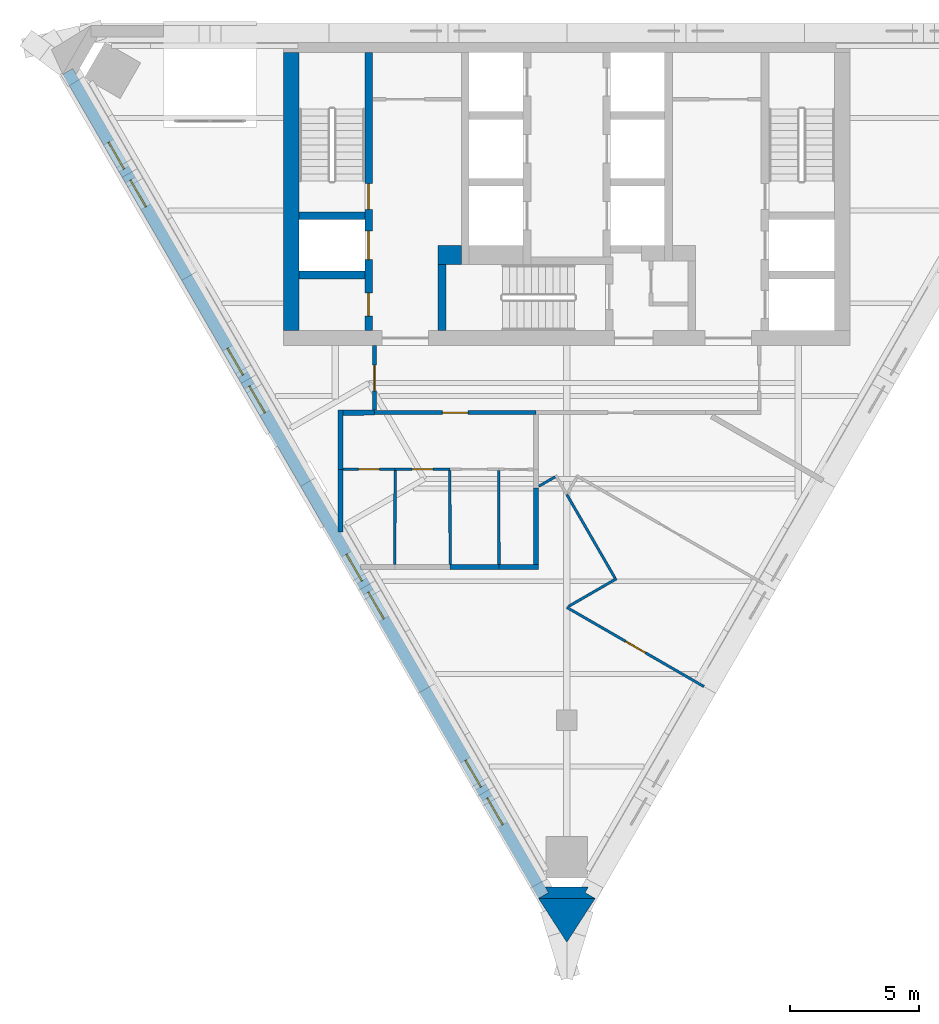
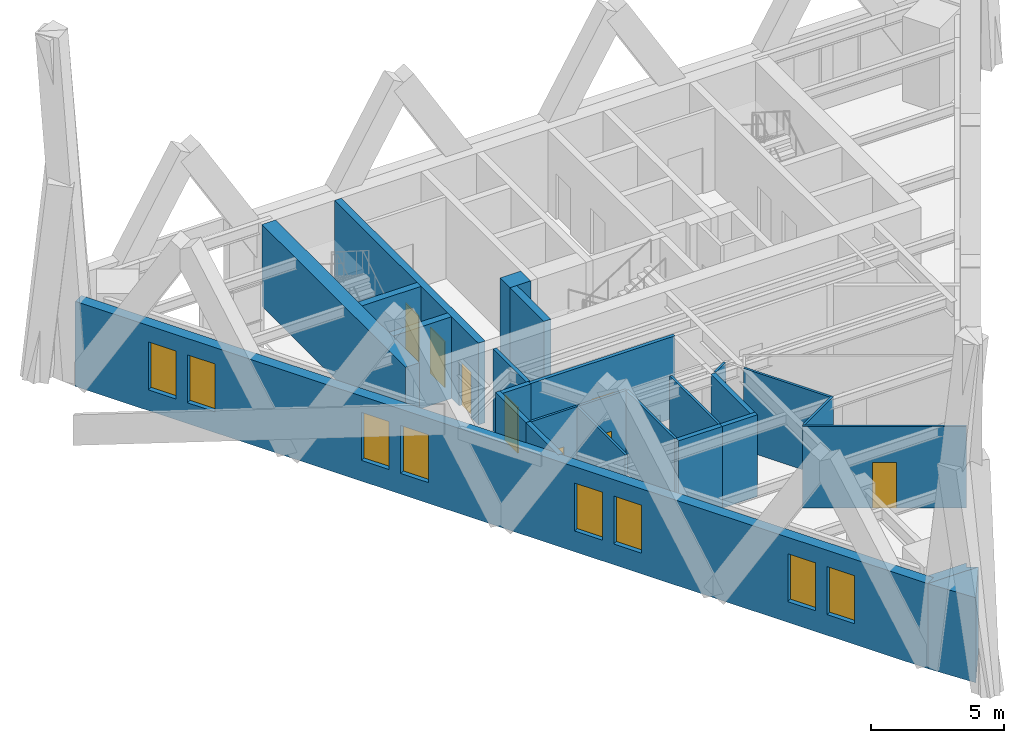
# One storey, part 4 of 9: 26 walls, 8 doors, 8 windows, 16 openings.
"""IFC4 building model written with IfcOpenShell, lengths in metres."""

from ifc_helpers import new_model, si_unit, direction, frame, frame_2d, origin, place, context, subcontext, project, spatial, polyline, rectangle, outline, extrude, material, layer, layer_set, type_object, element, fill, save


model = new_model("IFC4")

# Units and contexts
model_context = context("Model", 3, precision=1e-05, world=origin(), true_north=direction((0.0, 1.0)))
body_context = subcontext(model_context, "Body", "Model", "MODEL_VIEW")
ifc_project = project(units=[si_unit("LENGTHUNIT", "METRE"), si_unit("AREAUNIT", "SQUARE_METRE"), si_unit("VOLUMEUNIT", "CUBIC_METRE"), si_unit("PLANEANGLEUNIT", "RADIAN"), si_unit("MASSUNIT", "GRAM", prefix="KILO")], contexts=[model_context])

# Site, building, storey
site_placement = place(None, origin())
site = spatial("IfcSite", under=ifc_project, at=site_placement, CompositionType="ELEMENT")
building_placement = place(site_placement, origin())
building = spatial("IfcBuilding", under=site, at=building_placement, Name="Aloe Facet Convention Tower", CompositionType="ELEMENT")
storey_placement = place(building_placement, frame((0.0, 0.0, 254.300048828125)))
storey = spatial("IfcBuildingStorey", under=building, at=storey_placement, Name="L62", CompositionType="ELEMENT", Elevation=254.300048828125)

# Walls
ifc_material_1 = material(Name="Concrete C50/60", Category="concrete")
ifc_layer_1 = layer(ifc_material_1, 0.300048828125)
ifc_layer_set_1 = layer_set([ifc_layer_1], Name="CR-W-RC300-C5060")
wall_type_1 = type_object("IfcWallType", Name="CR-W-RC300-C5060", PredefinedType="SOLIDWALL", material=ifc_layer_set_1)
for number, where, z_axis, x_axis, name in (
    (1, (69.60009765625, 127.60009765625, 0.0), (0.0, 0.0, 1.0), (1.0, 0.0, 0.0), "Core wall L62-004"),
    (2, (69.60009765625, 125.300048828125, 0.0), (0.0, 0.0, 1.0), (1.0, 0.0, 0.0), "Core wall L62-005"),
):
    element("IfcWall", number, at=place(storey_placement, frame(where, z_axis=z_axis, x_axis=x_axis)), inside=storey, type_object=wall_type_1, Name=name, PredefinedType="SOLIDWALL", context=body_context, shape_type="SweptSolid", body=[
        extrude(rectangle(XDim=2.5498046875, YDim=0.300048828125, at=frame_2d((1.27490234375, 0.0))), origin(), (0.0, 0.0, 1.0), 3.75),
    ])

# Wall, openings, doors
wall_1_placement = place(storey_placement, frame((72.300048828125, 133.949951171875, 0.0), z_axis=(0.0, 0.0, 1.0), x_axis=(0.0, -1.0, 0.0)))
wall_1 = element("IfcWall", 3, at=wall_1_placement, inside=storey, type_object=wall_type_1, Name="Core wall L62-006", PredefinedType="SOLIDWALL", context=body_context, shape_type="SweptSolid", body=[
    extrude(rectangle(XDim=10.800048828125, YDim=0.300048828125, at=frame_2d((5.39990234375, 0.0))), origin(), (0.0, 0.0, 1.0), 3.75),
])
opening_1_placement = place(wall_1_placement, frame((6.949951171875, 0.0, 0.0)))
opening_1 = element("IfcOpeningElement", 4, at=opening_1_placement, cuts=wall_1, Name="Opening LD-FF1-L62", PredefinedType="OPENING", context=body_context, shape_type="SweptSolid", body=[
    extrude(rectangle(XDim=1.10009765625, YDim=2.10009765625, at=frame_2d((0.550048828125, 1.050048828125))), frame((0.0, 0.16015625, 0.0), z_axis=(0.0, -1.0, 0.0), x_axis=(1.0, 0.0, 0.0)), (0.0, 0.0, 1.0), 0.320068359375),
])
opening_2_placement = place(wall_1_placement, frame((9.35009765625, 0.0, 0.0)))
opening_2 = element("IfcOpeningElement", 5, at=opening_2_placement, cuts=wall_1, Name="Opening L62-CD15", PredefinedType="OPENING", context=body_context, shape_type="SweptSolid", body=[
    extrude(rectangle(XDim=0.89990234375, YDim=2.10009765625, at=frame_2d((0.449951171875, 1.050048828125))), frame((0.0, 0.16015625, 0.0), z_axis=(0.0, -1.0, 0.0), x_axis=(1.0, 0.0, 0.0)), (0.0, 0.0, 1.0), 0.320068359375),
])
opening_3_placement = place(wall_1_placement, frame((5.10009765625, 0.0, 0.0)))
opening_3 = element("IfcOpeningElement", 6, at=opening_3_placement, cuts=wall_1, Name="Opening L62-CD16", PredefinedType="OPENING", context=body_context, shape_type="SweptSolid", body=[
    extrude(rectangle(XDim=1.0, YDim=2.10009765625, at=frame_2d((0.5, 1.050048828125))), frame((0.0, 0.16015625, 0.0), z_axis=(0.0, -1.0, 0.0), x_axis=(1.0, 0.0, 0.0)), (0.0, 0.0, 1.0), 0.320068359375),
])
ifc_material_2 = material(Name="Steel fire-resisting door set FD60", Category="steel")
door_type_1 = type_object("IfcDoorType", Name="CR-D-ROOM-900-FD60-SLEFT", OperationType="SINGLE_SWING_LEFT", PredefinedType="DOOR", material=ifc_material_2)
door_1_placement = place(opening_2_placement, origin())
door_1 = element("IfcDoor", 7, at=door_1_placement, inside=storey, type_object=door_type_1, Name="Core door L62-CD15", OperationType="SINGLE_SWING_LEFT", OverallHeight=2.10009765625, OverallWidth=0.89990234375, PredefinedType="DOOR", context=body_context, shape_type="SweptSolid", body=[
    extrude(rectangle(XDim=0.89990234375, YDim=2.10009765625, at=frame_2d((0.449951171875, 1.050048828125))), frame((0.0, 0.02490234375, 0.0), z_axis=(0.0, -1.0, 0.0), x_axis=(1.0, 0.0, 0.0)), (0.0, 0.0, 1.0), 0.050048828125),
])
fill(opening_2, door_1)
ifc_material_3 = material(Name="Steel fire-resisting door set FD120", Category="steel")
door_type_2 = type_object("IfcDoorType", Name="CR-D-STAIR-1000-FD120-SRIGHT", OperationType="SINGLE_SWING_RIGHT", PredefinedType="DOOR", material=ifc_material_3)
door_2_placement = place(opening_3_placement, origin())
door_2 = element("IfcDoor", 8, at=door_2_placement, inside=storey, type_object=door_type_2, Name="Core door L62-CD16", OperationType="SINGLE_SWING_RIGHT", OverallHeight=2.10009765625, OverallWidth=1.0, PredefinedType="DOOR", context=body_context, shape_type="SweptSolid", body=[
    extrude(rectangle(XDim=1.0, YDim=2.10009765625, at=frame_2d((0.5, 1.050048828125))), frame((0.0, 0.02490234375, 0.0), z_axis=(0.0, -1.0, 0.0), x_axis=(1.0, 0.0, 0.0)), (0.0, 0.0, 1.0), 0.050048828125),
])
fill(opening_3, door_2)
ifc_material_4 = material(Name="Stainless steel sliding landing door", Category="steel")
door_type_3 = type_object("IfcDoorType", Name="CR-LD-1100-FD120-_LEFT", OperationType="SLIDING_TO_LEFT", PredefinedType="DOOR", material=ifc_material_4)
door_3_placement = place(opening_1_placement, origin())
door_3 = element("IfcDoor", 9, at=door_3_placement, inside=storey, type_object=door_type_3, Name="Landing door FF1 L62", OperationType="SLIDING_TO_LEFT", OverallHeight=2.10009765625, OverallWidth=1.10009765625, PredefinedType="DOOR", context=body_context, shape_type="SweptSolid", body=[
    extrude(rectangle(XDim=1.10009765625, YDim=2.10009765625, at=frame_2d((0.550048828125, 1.050048828125))), frame((0.0, 0.02490234375, 0.0), z_axis=(0.0, -1.0, 0.0), x_axis=(1.0, 0.0, 0.0)), (0.0, 0.0, 1.0), 0.050048828125),
])
fill(opening_1, door_3)

# Walls
wall_2_placement = place(storey_placement, frame((75.14990234375, 125.699951171875, 0.0), z_axis=(0.0, 0.0, 1.0), x_axis=(0.0, -1.0, 0.0)))
element("IfcWall", 10, at=wall_2_placement, inside=storey, type_object=wall_type_1, Name="Core wall L62-009", PredefinedType="SOLIDWALL", context=body_context, shape_type="SweptSolid", body=[
    extrude(rectangle(XDim=2.550048828125, YDim=0.300048828125, at=frame_2d((1.27490234375, 0.0))), origin(), (0.0, 0.0, 1.0), 3.75),
])
ifc_material_5 = material(Name="Concrete C50/60", Category="concrete")
ifc_layer_2 = layer(ifc_material_5, 0.60009765625)
ifc_layer_set_2 = layer_set([ifc_layer_2], Name="CR-W-RC600-C5060")
wall_type_2 = type_object("IfcWallType", Name="CR-W-RC600-C5060", PredefinedType="SOLIDWALL", material=ifc_layer_set_2)
wall_3_placement = place(storey_placement, frame((69.300048828125, 133.949951171875, 0.0), z_axis=(0.0, 0.0, 1.0), x_axis=(0.0, -1.0, 0.0)))
element("IfcWall", 11, at=wall_3_placement, inside=storey, type_object=wall_type_2, Name="Core wall L62-002", PredefinedType="SOLIDWALL", context=body_context, shape_type="SweptSolid", body=[
    extrude(rectangle(XDim=10.800048828125, YDim=0.60009765625, at=frame_2d((5.39990234375, 0.0))), origin(), (0.0, 0.0, 1.0), 3.75),
])
ifc_material_6 = material(Name="Concrete C50/60", Category="concrete")
ifc_layer_3 = layer(ifc_material_6, 0.75)
ifc_layer_set_3 = layer_set([ifc_layer_3], Name="CR-W-RC750-C5060")
wall_type_3 = type_object("IfcWallType", Name="CR-W-RC750-C5060", PredefinedType="SOLIDWALL", material=ifc_layer_set_3)
wall_4_placement = place(storey_placement, frame((75.0, 126.074951171875, 0.0), z_axis=(0.0, 0.0, 1.0), x_axis=(1.0, 0.0, 0.0)))
element("IfcWall", 12, at=wall_4_placement, inside=storey, type_object=wall_type_3, Name="Core wall L62-008", PredefinedType="SOLIDWALL", context=body_context, shape_type="SweptSolid", body=[
    extrude(rectangle(XDim=0.89990234375, YDim=0.75, at=frame_2d((0.449951171875, 0.0))), origin(), (0.0, 0.0, 1.0), 3.75),
])
ifc_material_7 = material(Name="Precast concrete C40/50", Category="concrete")
ifc_layer_4 = layer(ifc_material_7, 0.449951171875)
ifc_layer_set_4 = layer_set([ifc_layer_4], Name="EV-WALL-PIER")
wall_type_4 = type_object("IfcWallType", Name="EV-WALL-PIER", PredefinedType="SOLIDWALL", material=ifc_layer_set_4)
wall_5_placement = place(storey_placement, frame((0.0, 0.0, -0.150146484375)))
element("IfcWall", 13, at=wall_5_placement, inside=storey, type_object=wall_type_4, Name="EP-L62-B", PredefinedType="SOLIDWALL", context=body_context, shape_type="SweptSolid", body=[
    extrude(outline(polyline([(78.89990234375, 101.07568359375), (79.289794921875, 101.30078125), (79.159912109375, 101.52587890625), (80.840087890625, 101.52587890625), (80.710205078125, 101.30078125), (81.10009765625, 101.07568359375), (78.89990234375, 101.07568359375)])), origin(), (0.0, 0.0, 1.0), 3.900146484375),
])
ifc_material_8 = material(Name="Precast concrete C40/50", Category="concrete")
ifc_layer_5 = layer(ifc_material_8, 3.947998046875)
ifc_layer_set_5 = layer_set([ifc_layer_5], Name="EV-WALL-SPINE")
wall_type_5 = type_object("IfcWallType", Name="EV-WALL-SPINE", PredefinedType="SOLIDWALL", material=ifc_layer_set_5)
wall_6_placement = place(storey_placement, frame((0.0, 0.0, -0.150146484375)))
element("IfcWall", 14, at=wall_6_placement, inside=storey, type_object=wall_type_5, Name="SP-S-L62", PredefinedType="SOLIDWALL", context=body_context, shape_type="SweptSolid", body=[
    extrude(outline(polyline([(78.89990234375, 101.07568359375), (80.0, 99.372314453125), (81.10009765625, 101.07568359375), (78.89990234375, 101.07568359375)])), origin(), (0.0, 0.0, 1.0), 3.900146484375),
])

# Wall, openings, windows
ifc_material_9 = material(Name="Precast concrete C40/50", Category="concrete")
ifc_layer_6 = layer(ifc_material_9, 0.449951171875)
ifc_layer_set_6 = layer_set([ifc_layer_6], Name="EV-WALL-STONE")
wall_type_6 = type_object("IfcWallType", Name="EV-WALL-STONE", PredefinedType="SOLIDWALL", material=ifc_layer_set_6)
wall_7_placement = place(storey_placement, frame((60.608642578125, 133.207275390625, -0.150146484375), z_axis=(0.0, 0.0, 1.0), x_axis=(0.500002536638, -0.866023939251, 0.0)))
wall_7 = element("IfcWall", 15, at=wall_7_placement, inside=storey, type_object=wall_type_6, Name="EW-L62-W01", PredefinedType="SOLIDWALL", context=body_context, shape_type="SweptSolid", body=[
    extrude(outline(polyline([(36.972412109375, 0.0), (36.972412109375, 3.900146484375), (0.0, 3.900146484375), (0.0, 0.0), (36.972412109375, 0.0)])), frame((0.0, 0.22509765625, 0.0), z_axis=(0.0, -1.0, 0.0), x_axis=(1.0, 0.0, 0.0)), (0.0, 0.0, 1.0), 0.449951171875),
])
opening_4_placement = place(wall_7_placement, frame((3.171630859375, 0.0, 0.949951171875)))
opening_4 = element("IfcOpeningElement", 16, at=opening_4_placement, cuts=wall_7, Name="Opening W-L62-W01", PredefinedType="OPENING", context=body_context, shape_type="SweptSolid", body=[
    extrude(rectangle(XDim=1.199951171875, YDim=2.199951171875, at=frame_2d((0.60009765625, 1.10009765625))), frame((0.0, 0.23486328125, 0.0), z_axis=(0.0, -1.0, 0.0), x_axis=(1.0, 0.0, 0.0)), (0.0, 0.0, 1.0), 0.469970703125),
])
opening_5_placement = place(wall_7_placement, frame((4.87158203125, 0.0, 0.949951171875)))
opening_5 = element("IfcOpeningElement", 17, at=opening_5_placement, cuts=wall_7, Name="Opening W-L62-W02", PredefinedType="OPENING", context=body_context, shape_type="SweptSolid", body=[
    extrude(rectangle(XDim=1.199951171875, YDim=2.199951171875, at=frame_2d((0.60009765625, 1.10009765625))), frame((0.0, 0.23486328125, 0.0), z_axis=(0.0, -1.0, 0.0), x_axis=(1.0, 0.0, 0.0)), (0.0, 0.0, 1.0), 0.469970703125),
])
opening_6_placement = place(wall_7_placement, frame((12.41455078125, 0.0, 0.949951171875)))
opening_6 = element("IfcOpeningElement", 18, at=opening_6_placement, cuts=wall_7, Name="Opening W-L62-W03", PredefinedType="OPENING", context=body_context, shape_type="SweptSolid", body=[
    extrude(rectangle(XDim=1.199951171875, YDim=2.199951171875, at=frame_2d((0.60009765625, 1.10009765625))), frame((0.0, 0.23486328125, 0.0), z_axis=(0.0, -1.0, 0.0), x_axis=(1.0, 0.0, 0.0)), (0.0, 0.0, 1.0), 0.469970703125),
])
opening_7_placement = place(wall_7_placement, frame((14.114501953125, 0.0, 0.949951171875)))
opening_7 = element("IfcOpeningElement", 19, at=opening_7_placement, cuts=wall_7, Name="Opening W-L62-W04", PredefinedType="OPENING", context=body_context, shape_type="SweptSolid", body=[
    extrude(rectangle(XDim=1.199951171875, YDim=2.199951171875, at=frame_2d((0.60009765625, 1.10009765625))), frame((0.0, 0.23486328125, 0.0), z_axis=(0.0, -1.0, 0.0), x_axis=(1.0, 0.0, 0.0)), (0.0, 0.0, 1.0), 0.469970703125),
])
opening_8_placement = place(wall_7_placement, frame((21.65771484375, 0.0, 0.949951171875)))
opening_8 = element("IfcOpeningElement", 20, at=opening_8_placement, cuts=wall_7, Name="Opening W-L62-W05", PredefinedType="OPENING", context=body_context, shape_type="SweptSolid", body=[
    extrude(rectangle(XDim=1.199951171875, YDim=2.199951171875, at=frame_2d((0.60009765625, 1.10009765625))), frame((0.0, 0.23486328125, 0.0), z_axis=(0.0, -1.0, 0.0), x_axis=(1.0, 0.0, 0.0)), (0.0, 0.0, 1.0), 0.469970703125),
])
opening_9_placement = place(wall_7_placement, frame((23.357666015625, 0.0, 0.949951171875)))
opening_9 = element("IfcOpeningElement", 21, at=opening_9_placement, cuts=wall_7, Name="Opening W-L62-W06", PredefinedType="OPENING", context=body_context, shape_type="SweptSolid", body=[
    extrude(rectangle(XDim=1.199951171875, YDim=2.199951171875, at=frame_2d((0.60009765625, 1.10009765625))), frame((0.0, 0.23486328125, 0.0), z_axis=(0.0, -1.0, 0.0), x_axis=(1.0, 0.0, 0.0)), (0.0, 0.0, 1.0), 0.469970703125),
])
opening_10_placement = place(wall_7_placement, frame((30.90087890625, 0.0, 0.949951171875)))
opening_10 = element("IfcOpeningElement", 22, at=opening_10_placement, cuts=wall_7, Name="Opening W-L62-W07", PredefinedType="OPENING", context=body_context, shape_type="SweptSolid", body=[
    extrude(rectangle(XDim=1.199951171875, YDim=2.199951171875, at=frame_2d((0.60009765625, 1.10009765625))), frame((0.0, 0.23486328125, 0.0), z_axis=(0.0, -1.0, 0.0), x_axis=(1.0, 0.0, 0.0)), (0.0, 0.0, 1.0), 0.469970703125),
])
opening_11_placement = place(wall_7_placement, frame((32.600830078125, 0.0, 0.949951171875)))
opening_11 = element("IfcOpeningElement", 23, at=opening_11_placement, cuts=wall_7, Name="Opening W-L62-W08", PredefinedType="OPENING", context=body_context, shape_type="SweptSolid", body=[
    extrude(rectangle(XDim=1.199951171875, YDim=2.199951171875, at=frame_2d((0.60009765625, 1.10009765625))), frame((0.0, 0.23486328125, 0.0), z_axis=(0.0, -1.0, 0.0), x_axis=(1.0, 0.0, 0.0)), (0.0, 0.0, 1.0), 0.469970703125),
])
ifc_material_10 = material(Name="Aluminium frame, clear double glazing", Category="aluminium")
window_type = type_object("IfcWindowType", Name="EV-WIN-O12", PartitioningType="SINGLE_PANEL", PredefinedType="WINDOW", material=ifc_material_10)
window_1_placement = place(opening_4_placement, origin())
window_1 = element("IfcWindow", 24, at=window_1_placement, inside=storey, type_object=window_type, Name="W-L62-W01", OverallHeight=2.199951171875, OverallWidth=1.199951171875, PartitioningType="SINGLE_PANEL", PredefinedType="WINDOW", context=body_context, shape_type="SweptSolid", body=[
    extrude(rectangle(XDim=1.199951171875, YDim=2.199951171875, at=frame_2d((0.60009765625, 1.10009765625))), frame((0.0, 0.030029296875, 0.0), z_axis=(0.0, -1.0, 0.0), x_axis=(1.0, 0.0, 0.0)), (0.0, 0.0, 1.0), 0.06005859375),
])
fill(opening_4, window_1)
window_2_placement = place(opening_5_placement, origin())
window_2 = element("IfcWindow", 25, at=window_2_placement, inside=storey, type_object=window_type, Name="W-L62-W02", OverallHeight=2.199951171875, OverallWidth=1.199951171875, PartitioningType="SINGLE_PANEL", PredefinedType="WINDOW", context=body_context, shape_type="SweptSolid", body=[
    extrude(rectangle(XDim=1.199951171875, YDim=2.199951171875, at=frame_2d((0.60009765625, 1.10009765625))), frame((0.0, 0.030029296875, 0.0), z_axis=(0.0, -1.0, 0.0), x_axis=(1.0, 0.0, 0.0)), (0.0, 0.0, 1.0), 0.06005859375),
])
fill(opening_5, window_2)
window_3_placement = place(opening_6_placement, origin())
window_3 = element("IfcWindow", 26, at=window_3_placement, inside=storey, type_object=window_type, Name="W-L62-W03", OverallHeight=2.199951171875, OverallWidth=1.199951171875, PartitioningType="SINGLE_PANEL", PredefinedType="WINDOW", context=body_context, shape_type="SweptSolid", body=[
    extrude(rectangle(XDim=1.199951171875, YDim=2.199951171875, at=frame_2d((0.60009765625, 1.10009765625))), frame((0.0, 0.030029296875, 0.0), z_axis=(0.0, -1.0, 0.0), x_axis=(1.0, 0.0, 0.0)), (0.0, 0.0, 1.0), 0.06005859375),
])
fill(opening_6, window_3)
window_4_placement = place(opening_7_placement, origin())
window_4 = element("IfcWindow", 27, at=window_4_placement, inside=storey, type_object=window_type, Name="W-L62-W04", OverallHeight=2.199951171875, OverallWidth=1.199951171875, PartitioningType="SINGLE_PANEL", PredefinedType="WINDOW", context=body_context, shape_type="SweptSolid", body=[
    extrude(rectangle(XDim=1.199951171875, YDim=2.199951171875, at=frame_2d((0.60009765625, 1.10009765625))), frame((0.0, 0.030029296875, 0.0), z_axis=(0.0, -1.0, 0.0), x_axis=(1.0, 0.0, 0.0)), (0.0, 0.0, 1.0), 0.06005859375),
])
fill(opening_7, window_4)
window_5_placement = place(opening_8_placement, origin())
window_5 = element("IfcWindow", 28, at=window_5_placement, inside=storey, type_object=window_type, Name="W-L62-W05", OverallHeight=2.199951171875, OverallWidth=1.199951171875, PartitioningType="SINGLE_PANEL", PredefinedType="WINDOW", context=body_context, shape_type="SweptSolid", body=[
    extrude(rectangle(XDim=1.199951171875, YDim=2.199951171875, at=frame_2d((0.60009765625, 1.10009765625))), frame((0.0, 0.030029296875, 0.0), z_axis=(0.0, -1.0, 0.0), x_axis=(1.0, 0.0, 0.0)), (0.0, 0.0, 1.0), 0.06005859375),
])
fill(opening_8, window_5)
window_6_placement = place(opening_9_placement, origin())
window_6 = element("IfcWindow", 29, at=window_6_placement, inside=storey, type_object=window_type, Name="W-L62-W06", OverallHeight=2.199951171875, OverallWidth=1.199951171875, PartitioningType="SINGLE_PANEL", PredefinedType="WINDOW", context=body_context, shape_type="SweptSolid", body=[
    extrude(rectangle(XDim=1.199951171875, YDim=2.199951171875, at=frame_2d((0.60009765625, 1.10009765625))), frame((0.0, 0.030029296875, 0.0), z_axis=(0.0, -1.0, 0.0), x_axis=(1.0, 0.0, 0.0)), (0.0, 0.0, 1.0), 0.06005859375),
])
fill(opening_9, window_6)
window_7_placement = place(opening_10_placement, origin())
window_7 = element("IfcWindow", 30, at=window_7_placement, inside=storey, type_object=window_type, Name="W-L62-W07", OverallHeight=2.199951171875, OverallWidth=1.199951171875, PartitioningType="SINGLE_PANEL", PredefinedType="WINDOW", context=body_context, shape_type="SweptSolid", body=[
    extrude(rectangle(XDim=1.199951171875, YDim=2.199951171875, at=frame_2d((0.60009765625, 1.10009765625))), frame((0.0, 0.030029296875, 0.0), z_axis=(0.0, -1.0, 0.0), x_axis=(1.0, 0.0, 0.0)), (0.0, 0.0, 1.0), 0.06005859375),
])
fill(opening_10, window_7)
window_8_placement = place(opening_11_placement, origin())
window_8 = element("IfcWindow", 31, at=window_8_placement, inside=storey, type_object=window_type, Name="W-L62-W08", OverallHeight=2.199951171875, OverallWidth=1.199951171875, PartitioningType="SINGLE_PANEL", PredefinedType="WINDOW", context=body_context, shape_type="SweptSolid", body=[
    extrude(rectangle(XDim=1.199951171875, YDim=2.199951171875, at=frame_2d((0.60009765625, 1.10009765625))), frame((0.0, 0.030029296875, 0.0), z_axis=(0.0, -1.0, 0.0), x_axis=(1.0, 0.0, 0.0)), (0.0, 0.0, 1.0), 0.06005859375),
])
fill(opening_11, window_8)

# Wall, opening, door
ifc_material_11 = material(Name="Gypsum board partition on steel studs", Category="steel")
ifc_layer_7 = layer(ifc_material_11, 0.14990234375)
ifc_layer_set_7 = layer_set([ifc_layer_7], Name="IN-W-CORR")
wall_type_7 = type_object("IfcWallType", Name="IN-W-CORR", PredefinedType="PARTITIONING", material=ifc_layer_set_7)
wall_8_placement = place(storey_placement, frame((72.52490234375, 120.050048828125, 0.0), z_axis=(0.0, 0.0, 1.0), x_axis=(0.0, 1.0, 0.0)))
wall_8 = element("IfcWall", 32, at=wall_8_placement, inside=storey, type_object=wall_type_7, Name="Partition L62-W026", PredefinedType="PARTITIONING", context=body_context, shape_type="SweptSolid", body=[
    extrude(rectangle(XDim=2.5, YDim=0.14990234375, at=frame_2d((1.25, 0.0))), origin(), (0.0, 0.0, 1.0), 3.75),
])
opening_12_placement = place(wall_8_placement, frame((0.75, 0.0, 0.0)))
opening_12 = element("IfcOpeningElement", 33, at=opening_12_placement, cuts=wall_8, Name="Opening L62-006", PredefinedType="OPENING", context=body_context, shape_type="SweptSolid", body=[
    extrude(rectangle(XDim=1.0, YDim=2.10009765625, at=frame_2d((0.5, 1.050048828125))), frame((0.0, 0.0849609375, 0.0), z_axis=(0.0, -1.0, 0.0), x_axis=(1.0, 0.0, 0.0)), (0.0, 0.0, 1.0), 0.169921875),
])
ifc_material_12 = material(Name="Timber door FD30S with vision panel", Category="wood")
door_type_4 = type_object("IfcDoorType", Name="IN-OFF-D-ENTRY", OperationType="SINGLE_SWING_LEFT", PredefinedType="DOOR", material=ifc_material_12)
door_4_placement = place(opening_12_placement, origin())
door_4 = element("IfcDoor", 34, at=door_4_placement, inside=storey, type_object=door_type_4, Name="Door L62-006", OperationType="SINGLE_SWING_LEFT", OverallHeight=2.10009765625, OverallWidth=1.0, PredefinedType="DOOR", context=body_context, shape_type="SweptSolid", body=[
    extrude(rectangle(XDim=1.0, YDim=2.10009765625, at=frame_2d((0.5, 1.050048828125))), frame((0.0, 0.02490234375, 0.0), z_axis=(0.0, -1.0, 0.0), x_axis=(1.0, 0.0, 0.0)), (0.0, 0.0, 1.0), 0.050048828125),
])
fill(opening_12, door_4)

wall_9_placement = place(storey_placement, frame((72.52490234375, 119.949951171875, 0.0), z_axis=(0.0, 0.0, 1.0), x_axis=(1.0, 0.0, 0.0)))
wall_9 = element("IfcWall", 35, at=wall_9_placement, inside=storey, type_object=wall_type_7, Name="Partition L62-W027", PredefinedType="PARTITIONING", context=body_context, shape_type="SweptSolid", body=[
    extrude(rectangle(XDim=6.275146484375, YDim=0.14990234375, at=frame_2d((3.1376953125, 0.0))), origin(), (0.0, 0.0, 1.0), 3.75),
])
opening_13_placement = place(wall_9_placement, frame((2.637451171875, 0.0, 0.0)))
opening_13 = element("IfcOpeningElement", 36, at=opening_13_placement, cuts=wall_9, Name="Opening L62-001", PredefinedType="OPENING", context=body_context, shape_type="SweptSolid", body=[
    extrude(rectangle(XDim=1.0, YDim=2.10009765625, at=frame_2d((0.5, 1.050048828125))), frame((0.0, 0.0849609375, 0.0), z_axis=(0.0, -1.0, 0.0), x_axis=(1.0, 0.0, 0.0)), (0.0, 0.0, 1.0), 0.169921875),
])
door_5_placement = place(opening_13_placement, origin())
door_5 = element("IfcDoor", 37, at=door_5_placement, inside=storey, type_object=door_type_4, Name="Door L62-001", OperationType="SINGLE_SWING_LEFT", OverallHeight=2.10009765625, OverallWidth=1.0, PredefinedType="DOOR", context=body_context, shape_type="SweptSolid", body=[
    extrude(rectangle(XDim=1.0, YDim=2.10009765625, at=frame_2d((0.5, 1.050048828125))), frame((0.0, 0.02490234375, 0.0), z_axis=(0.0, -1.0, 0.0), x_axis=(1.0, 0.0, 0.0)), (0.0, 0.0, 1.0), 0.050048828125),
])
fill(opening_13, door_5)

ifc_material_13 = material(Name="Gypsum board partition on steel studs", Category="steel")
ifc_layer_8 = layer(ifc_material_13, 0.10009765625)
ifc_layer_set_8 = layer_set([ifc_layer_8], Name="IN-W-PART")
wall_type_8 = type_object("IfcWallType", Name="IN-W-PART", PredefinedType="PARTITIONING", material=ifc_layer_set_8)
wall_10_placement = place(storey_placement, frame((80.0, 112.3837890625, 0.0), z_axis=(0.0, 0.0, 1.0), x_axis=(0.866037617598, -0.499978844458, 0.0)))
wall_10 = element("IfcWall", 38, at=wall_10_placement, inside=storey, type_object=wall_type_8, Name="Partition L62-W001", PredefinedType="PARTITIONING", context=body_context, shape_type="SweptSolid", body=[
    extrude(rectangle(XDim=6.154541015625, YDim=0.10009765625, at=frame_2d((3.0771484375, 0.0))), origin(), (0.0, 0.0, 1.0), 3.75),
])
opening_14_placement = place(wall_10_placement, frame((2.627197265625, 0.0, 0.0)))
opening_14 = element("IfcOpeningElement", 39, at=opening_14_placement, cuts=wall_10, Name="Opening L62-007", PredefinedType="OPENING", context=body_context, shape_type="SweptSolid", body=[
    extrude(rectangle(XDim=0.89990234375, YDim=2.10009765625, at=frame_2d((0.449951171875, 1.050048828125))), frame((0.0, 0.06005859375, 0.0), z_axis=(0.0, -1.0, 0.0), x_axis=(1.0, 0.0, 0.0)), (0.0, 0.0, 1.0), 0.1201171875),
])
ifc_material_14 = material(Name="Timber door", Category="wood")
door_type_5 = type_object("IfcDoorType", Name="IN-OFF-D-ROOM", OperationType="SINGLE_SWING_LEFT", PredefinedType="DOOR", material=ifc_material_14)
door_6_placement = place(opening_14_placement, origin())
door_6 = element("IfcDoor", 40, at=door_6_placement, inside=storey, type_object=door_type_5, Name="Door L62-007", OperationType="SINGLE_SWING_LEFT", OverallHeight=2.10009765625, OverallWidth=0.89990234375, PredefinedType="DOOR", context=body_context, shape_type="SweptSolid", body=[
    extrude(rectangle(XDim=0.89990234375, YDim=2.10009765625, at=frame_2d((0.449951171875, 1.050048828125))), frame((0.0, 0.02490234375, 0.0), z_axis=(0.0, -1.0, 0.0), x_axis=(1.0, 0.0, 0.0)), (0.0, 0.0, 1.0), 0.050048828125),
])
fill(opening_14, door_6)

# Walls
wall_11_placement = place(storey_placement, frame((80.074951171875, 112.42724609375, 0.0), z_axis=(0.0, 0.0, 1.0), x_axis=(0.866049104564, 0.499958946799, 0.0)))
element("IfcWall", 41, at=wall_11_placement, inside=storey, type_object=wall_type_8, Name="Partition L62-W002", PredefinedType="PARTITIONING", context=body_context, shape_type="SweptSolid", body=[
    extrude(rectangle(XDim=2.144775390625, YDim=0.10009765625, at=frame_2d((1.072265625, 0.0))), origin(), (0.0, 0.0, 1.0), 3.75),
])
wall_12_placement = place(storey_placement, frame((80.0, 116.7705078125, 0.0), z_axis=(0.0, 0.0, 1.0), x_axis=(0.499564586861, -0.866276643778, 0.0)))
element("IfcWall", 42, at=wall_12_placement, inside=storey, type_object=wall_type_8, Name="Partition L62-W004", PredefinedType="PARTITIONING", context=body_context, shape_type="SweptSolid", body=[
    extrude(rectangle(XDim=3.748779296875, YDim=0.10009765625, at=frame_2d((1.87451171875, 0.0))), origin(), (0.0, 0.0, 1.0), 3.75),
])
wall_13_placement = place(storey_placement, frame((78.912841796875, 117.09228515625, 0.0), z_axis=(0.0, 0.0, 1.0), x_axis=(0.867068692485, 0.498188601347, 0.0)))
element("IfcWall", 43, at=wall_13_placement, inside=storey, type_object=wall_type_8, Name="Partition L62-W014", PredefinedType="PARTITIONING", context=body_context, shape_type="SweptSolid", body=[
    extrude(rectangle(XDim=0.730712890625, YDim=0.10009765625, at=frame_2d((0.365234375, 0.0))), origin(), (0.0, 0.0, 1.0), 3.75),
])
wall_14_placement = place(storey_placement, frame((73.318359375, 114.050048828125, 0.0), z_axis=(0.0, 0.0, 1.0), x_axis=(0.002608686776, 0.999996597371, 0.0)))
element("IfcWall", 44, at=wall_14_placement, inside=storey, type_object=wall_type_8, Name="Partition L62-W016", PredefinedType="PARTITIONING", context=body_context, shape_type="SweptSolid", body=[
    extrude(rectangle(XDim=3.64990234375, YDim=0.10009765625, at=frame_2d((1.824951171875, 0.0))), origin(), (0.0, 0.0, 1.0), 3.75),
])

# Wall, opening, door
wall_15_placement = place(storey_placement, frame((71.300048828125, 117.75, 0.0), z_axis=(0.0, 0.0, 1.0), x_axis=(1.0, 0.0, 0.0)))
wall_15 = element("IfcWall", 45, at=wall_15_placement, inside=storey, type_object=wall_type_8, Name="Partition L62-W017", PredefinedType="PARTITIONING", context=body_context, shape_type="SweptSolid", body=[
    extrude(rectangle(XDim=2.02783203125, YDim=0.10009765625, at=frame_2d((1.013916015625, 0.0))), origin(), (0.0, 0.0, 1.0), 3.75),
])
opening_15_placement = place(wall_15_placement, frame((0.614013671875, 0.0, 0.0)))
opening_15 = element("IfcOpeningElement", 46, at=opening_15_placement, cuts=wall_15, Name="Opening L62-002", PredefinedType="OPENING", context=body_context, shape_type="SweptSolid", body=[
    extrude(rectangle(XDim=0.800048828125, YDim=2.10009765625, at=frame_2d((0.39990234375, 1.050048828125))), frame((0.0, 0.06005859375, 0.0), z_axis=(0.0, -1.0, 0.0), x_axis=(1.0, 0.0, 0.0)), (0.0, 0.0, 1.0), 0.1201171875),
])
ifc_material_15 = material(Name="Timber door", Category="wood")
door_type_6 = type_object("IfcDoorType", Name="IN-OFF-D-WC", OperationType="SINGLE_SWING_LEFT", PredefinedType="DOOR", material=ifc_material_15)
door_7_placement = place(opening_15_placement, origin())
door_7 = element("IfcDoor", 47, at=door_7_placement, inside=storey, type_object=door_type_6, Name="Door L62-002", OperationType="SINGLE_SWING_LEFT", OverallHeight=2.10009765625, OverallWidth=0.800048828125, PredefinedType="DOOR", context=body_context, shape_type="SweptSolid", body=[
    extrude(rectangle(XDim=0.800048828125, YDim=2.10009765625, at=frame_2d((0.39990234375, 1.050048828125))), frame((0.0, 0.02490234375, 0.0), z_axis=(0.0, -1.0, 0.0), x_axis=(1.0, 0.0, 0.0)), (0.0, 0.0, 1.0), 0.050048828125),
])
fill(opening_15, door_7)

# Wall
wall_16_placement = place(storey_placement, frame((75.4658203125, 114.050048828125, 0.0), z_axis=(0.0, 0.0, 1.0), x_axis=(-0.002675575707, 0.999996420641, 0.0)))
element("IfcWall", 48, at=wall_16_placement, inside=storey, type_object=wall_type_8, Name="Partition L62-W018", PredefinedType="PARTITIONING", context=body_context, shape_type="SweptSolid", body=[
    extrude(rectangle(XDim=3.64990234375, YDim=0.10009765625, at=frame_2d((1.824951171875, 0.0))), origin(), (0.0, 0.0, 1.0), 3.75),
])

# Wall, opening, door
wall_17_placement = place(storey_placement, frame((73.327880859375, 117.75, 0.0), z_axis=(0.0, 0.0, 1.0), x_axis=(1.0, 0.0, 0.0)))
wall_17 = element("IfcWall", 49, at=wall_17_placement, inside=storey, type_object=wall_type_8, Name="Partition L62-W019", PredefinedType="PARTITIONING", context=body_context, shape_type="SweptSolid", body=[
    extrude(rectangle(XDim=2.128173828125, YDim=0.10009765625, at=frame_2d((1.06396484375, 0.0))), origin(), (0.0, 0.0, 1.0), 3.75),
])
opening_16_placement = place(wall_17_placement, frame((0.6640625, 0.0, 0.0)))
opening_16 = element("IfcOpeningElement", 50, at=opening_16_placement, cuts=wall_17, Name="Opening L62-003", PredefinedType="OPENING", context=body_context, shape_type="SweptSolid", body=[
    extrude(rectangle(XDim=0.800048828125, YDim=2.10009765625, at=frame_2d((0.39990234375, 1.050048828125))), frame((0.0, 0.06005859375, 0.0), z_axis=(0.0, -1.0, 0.0), x_axis=(1.0, 0.0, 0.0)), (0.0, 0.0, 1.0), 0.1201171875),
])
door_8_placement = place(opening_16_placement, origin())
door_8 = element("IfcDoor", 51, at=door_8_placement, inside=storey, type_object=door_type_6, Name="Door L62-003", OperationType="SINGLE_SWING_LEFT", OverallHeight=2.10009765625, OverallWidth=0.800048828125, PredefinedType="DOOR", context=body_context, shape_type="SweptSolid", body=[
    extrude(rectangle(XDim=0.800048828125, YDim=2.10009765625, at=frame_2d((0.39990234375, 1.050048828125))), frame((0.0, 0.02490234375, 0.0), z_axis=(0.0, -1.0, 0.0), x_axis=(1.0, 0.0, 0.0)), (0.0, 0.0, 1.0), 0.050048828125),
])
fill(opening_16, door_8)

# Walls
wall_18_placement = place(storey_placement, frame((77.36572265625, 114.050048828125, 0.0), z_axis=(0.0, 0.0, 1.0), x_axis=(-0.002608686776, 0.999996597371, 0.0)))
element("IfcWall", 52, at=wall_18_placement, inside=storey, type_object=wall_type_8, Name="Partition L62-W020", PredefinedType="PARTITIONING", context=body_context, shape_type="SweptSolid", body=[
    extrude(rectangle(XDim=3.64990234375, YDim=0.10009765625, at=frame_2d((1.824951171875, 0.0))), origin(), (0.0, 0.0, 1.0), 3.75),
])
ifc_material_16 = material(Name="Gypsum board partition on steel studs", Category="steel")
ifc_layer_9 = layer(ifc_material_16, 0.199951171875)
ifc_layer_set_9 = layer_set([ifc_layer_9], Name="IN-W-PARTY")
wall_type_9 = type_object("IfcWallType", Name="IN-W-PARTY", PredefinedType="PARTITIONING", material=ifc_layer_set_9)
wall_19_placement = place(storey_placement, frame((75.466064453125, 113.949951171875, 0.0), z_axis=(0.0, 0.0, 1.0), x_axis=(1.0, 0.0, 0.0)))
element("IfcWall", 53, at=wall_19_placement, inside=storey, type_object=wall_type_9, Name="Partition L62-W007", PredefinedType="PARTITIONING", context=body_context, shape_type="SweptSolid", body=[
    extrude(rectangle(XDim=1.89990234375, YDim=0.199951171875, at=frame_2d((0.949951171875, 0.0))), origin(), (0.0, 0.0, 1.0), 3.75),
])
wall_20_placement = place(storey_placement, frame((77.365966796875, 113.949951171875, 0.0), z_axis=(0.0, 0.0, 1.0), x_axis=(1.0, 0.0, 0.0)))
element("IfcWall", 54, at=wall_20_placement, inside=storey, type_object=wall_type_9, Name="Partition L62-W008", PredefinedType="PARTITIONING", context=body_context, shape_type="SweptSolid", body=[
    extrude(rectangle(XDim=1.531982421875, YDim=0.199951171875, at=frame_2d((0.76611328125, 0.0))), origin(), (0.0, 0.0, 1.0), 3.75),
])
wall_21_placement = place(storey_placement, frame((78.798095703125, 114.050048828125, 0.0), z_axis=(0.0, 0.0, 1.0), x_axis=(0.000656006419, 0.999999784828, 0.0)))
element("IfcWall", 55, at=wall_21_placement, inside=storey, type_object=wall_type_9, Name="Partition L62-W009", PredefinedType="PARTITIONING", context=body_context, shape_type="SweptSolid", body=[
    extrude(rectangle(XDim=2.977294921875, YDim=0.199951171875, at=frame_2d((1.48876953125, 0.0))), origin(), (0.0, 0.0, 1.0), 3.75),
])
wall_22_placement = place(storey_placement, frame((71.199951171875, 115.313232421875, 0.0), z_axis=(0.0, 0.0, 1.0), x_axis=(0.0, 1.0, 0.0)))
element("IfcWall", 56, at=wall_22_placement, inside=storey, type_object=wall_type_9, Name="Partition L62-W023", PredefinedType="PARTITIONING", context=body_context, shape_type="SweptSolid", body=[
    extrude(rectangle(XDim=2.436767578125, YDim=0.199951171875, at=frame_2d((1.21826171875, 0.0))), origin(), (0.0, 0.0, 1.0), 3.75),
])
wall_23_placement = place(storey_placement, frame((71.199951171875, 117.75, 0.0), z_axis=(0.0, 0.0, 1.0), x_axis=(0.0, 1.0, 0.0)))
element("IfcWall", 57, at=wall_23_placement, inside=storey, type_object=wall_type_9, Name="Partition L62-W024", PredefinedType="PARTITIONING", context=body_context, shape_type="SweptSolid", body=[
    extrude(rectangle(XDim=2.2978515625, YDim=0.199951171875, at=frame_2d((1.14892578125, 0.0))), origin(), (0.0, 0.0, 1.0), 3.75),
])
wall_24_placement = place(storey_placement, frame((71.300048828125, 119.947998046875, 0.0), z_axis=(0.0, 0.0, 1.0), x_axis=(0.999998728662, 0.001594576406, 0.0)))
element("IfcWall", 58, at=wall_24_placement, inside=storey, type_object=wall_type_9, Name="Partition L62-W025", PredefinedType="PARTITIONING", context=body_context, shape_type="SweptSolid", body=[
    extrude(rectangle(XDim=1.224853515625, YDim=0.199951171875, at=frame_2d((0.6123046875, 0.0))), origin(), (0.0, 0.0, 1.0), 3.75),
])

save(model, "model.ifc")
